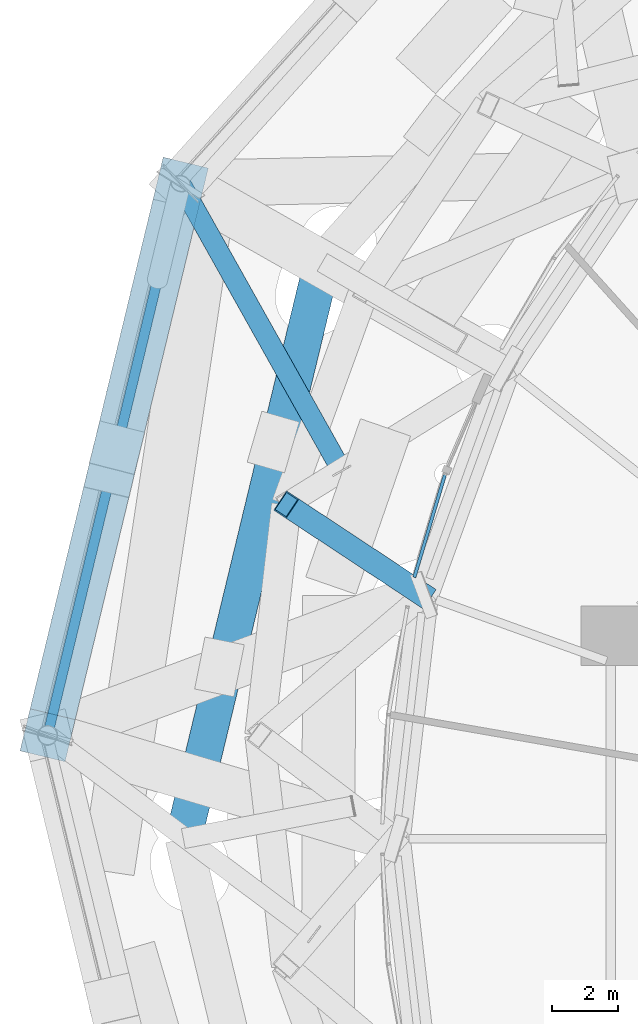
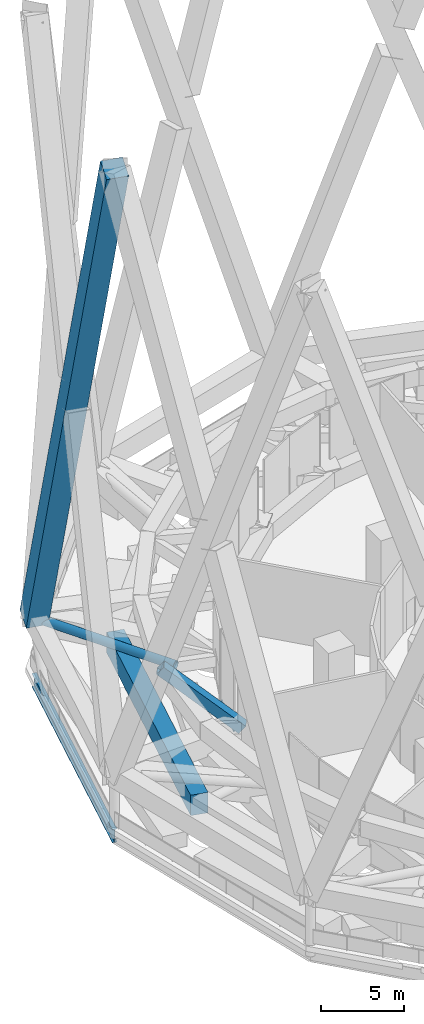
# One storey, part 29 of 60: 4 members, 2 beams, 1 element without a shape of its own.
"""IFC4 building model written with IfcOpenShell, lengths in metres."""

from ifc_helpers import new_model, si_unit, direction, frame, origin, origin_2d, place, context, subcontext, project, spatial, rectangle, hollow_rectangle, hollow_circle, i_section, extrude, material, layer, layer_set, material_profile, profile_set, type_object, element, aggregate, save


model = new_model("IFC4")

# Units and contexts
model_context = context("Model", 3, precision=1e-05, world=origin(), true_north=direction((0.0, 1.0)))
body_context = subcontext(model_context, "Body", "Model", "MODEL_VIEW")
ifc_project = project(units=[si_unit("LENGTHUNIT", "METRE"), si_unit("AREAUNIT", "SQUARE_METRE"), si_unit("VOLUMEUNIT", "CUBIC_METRE"), si_unit("PLANEANGLEUNIT", "RADIAN"), si_unit("MASSUNIT", "GRAM", prefix="KILO")], contexts=[model_context])

# Site, building, storey
site_placement = place(None, origin())
site = spatial("IfcSite", under=ifc_project, at=site_placement, CompositionType="ELEMENT")
building_placement = place(site_placement, origin())
building = spatial("IfcBuilding", under=site, at=building_placement, Name="Nagisa Residences", CompositionType="ELEMENT")
storey_placement = place(building_placement, frame((0.0, 0.0, 206.60009765625)))
storey = spatial("IfcBuildingStorey", under=building, at=storey_placement, Name="L52", CompositionType="ELEMENT", Elevation=206.60009765625)

# Beam
ifc_material_1 = material(Name="Steel ASTM A572 Gr 50", Category="steel")
ifc_material_profile_1 = material_profile(ifc_material_1, hollow_rectangle(XDim=0.699951171875, YDim=0.699951171875, WallThickness=0.0400390625, at=origin_2d()), Name="BX 700x700x40")
ifc_profile_set_1 = profile_set([ifc_material_profile_1], Name="Steel ASTM A572 Gr 50")
beam_type_1 = type_object("IfcBeamType", Name="Belt diagonal 4 BX 700x700x40", PredefinedType="BEAM", material=ifc_profile_set_1)
beam_1_placement = place(storey_placement, frame((-20.427490234375, 7.343994140625, 0.599853515625), z_axis=(-0.64065748128, 0.42304931645, 0.640770838546), x_axis=(-0.551037609069, -0.834480409232, 0.0)))
element("IfcBeam", 1, at=beam_1_placement, inside=storey, type_object=beam_type_1, Name="beam:L52:bt4da12", PredefinedType="BEAM", context=body_context, shape_type="SweptSolid", body=[
    extrude(hollow_rectangle(XDim=0.699951171875, YDim=0.699951171875, WallThickness=0.0400390625, at=origin_2d()), origin(), (0.0, 0.0, 1.0), 6.461181640625),
])

# Curtain wall, member
ifc_material_2 = material(Name="Aluminium curtain wall system", Category="aluminium")
ifc_layer = layer(ifc_material_2, 0.159912109375)
ifc_layer_set = layer_set([ifc_layer], Name="CW5 CURTAIN WALL")
curtain_wall_type = type_object("IfcCurtainWallType", Name="CW5 CURTAIN WALL", PredefinedType="NOTDEFINED", material=ifc_layer_set)
curtain_wall_placement = place(storey_placement, origin())
curtain_wall = element("IfcCurtainWall", 2, at=curtain_wall_placement, inside=storey, type_object=curtain_wall_type, Name="cw:CW5:L52:21", PredefinedType="NOTDEFINED")
ifc_material_3 = material(Name="Aluminium", Category="aluminium")
ifc_material_profile_2 = material_profile(ifc_material_3, rectangle(XDim=0.10009765625, YDim=0.1201171875, at=origin_2d()), Name="CW5 TRANSOM 100x120")
ifc_profile_set_2 = profile_set([ifc_material_profile_2], Name="Aluminium")
member_type_1 = type_object("IfcMemberType", Name="CW5 TRANSOM 100x120", PredefinedType="USERDEFINED", material=ifc_profile_set_2)
member_1_placement = place(storey_placement, frame((-19.766845703125, 11.027099609375, 0.059814453125), z_axis=(-0.285853055917, -0.958273463278, 0.0), x_axis=(0.958273463278, -0.285853055917, 0.0)))
member_1 = element("IfcMember", 3, at=member_1_placement, type_object=member_type_1, Name="CW5 transom", ObjectType="TRANSOM", PredefinedType="USERDEFINED", context=body_context, shape_type="SweptSolid", body=[
    extrude(rectangle(XDim=0.10009765625, YDim=0.1201171875, at=origin_2d()), origin(), (0.0, 0.0, 1.0), 3.2822265625),
])
aggregate(curtain_wall, [member_1])

# Members
ifc_material_4 = material(Name="Concrete C80", Category="concrete")
ifc_material_profile_3 = material_profile(ifc_material_4, rectangle(XDim=1.39990234375, YDim=1.39990234375, at=origin_2d()), Name="C80 1400x1400")
ifc_profile_set_3 = profile_set([ifc_material_profile_3], Name="Concrete C80")
member_type_2 = type_object("IfcMemberType", Name="Cage diagonal 5 C80 1400x1400", PredefinedType="BRACE", material=ifc_profile_set_3)
member_2_placement = place(storey_placement, frame((-27.7548828125, 19.7626953125, 3.699951171875), z_axis=(-0.084209237685, -0.349095063048, 0.933296009444), x_axis=(0.972117187205, -0.234495574244, 0.0)))
element("IfcMember", 4, at=member_2_placement, inside=storey, type_object=member_type_2, Name="mem:L52:cg5d011", PredefinedType="BRACE", context=body_context, shape_type="SweptSolid", body=[
    extrude(rectangle(XDim=1.39990234375, YDim=1.39990234375, at=origin_2d()), origin(), (0.0, 0.0, 1.0), 47.680419921875),
])
ifc_material_5 = material(Name="Concrete C80", Category="concrete")
ifc_material_profile_4 = material_profile(ifc_material_5, rectangle(XDim=1.10009765625, YDim=1.5, at=origin_2d()), Name="C80 1100x1500")
ifc_profile_set_4 = profile_set([ifc_material_profile_4], Name="Concrete C80")
member_type_3 = type_object("IfcMemberType", Name="Cage ring 4 C80 1100x1500", PredefinedType="CHORD", material=ifc_profile_set_4)
member_3_placement = place(storey_placement, frame((-23.48486328125, 17.387451171875, 1.89990234375), z_axis=(-0.234282017456, -0.972168676875, 0.0), x_axis=(0.972168676875, -0.234282017456, 0.0)))
element("IfcMember", 5, at=member_3_placement, inside=storey, type_object=member_type_3, Name="beam:L52:cg4r106", PredefinedType="CHORD", context=body_context, shape_type="SweptSolid", body=[
    extrude(rectangle(XDim=1.10009765625, YDim=1.5, at=origin_2d()), origin(), (0.0, 0.0, 1.0), 17.88525390625),
])
ifc_material_6 = material(Name="Steel ASTM A572 Gr 65", Category="steel")
ifc_material_profile_5 = material_profile(ifc_material_6, hollow_circle(Radius=0.304931640625, WallThickness=0.02490234375, at=origin_2d()), Name="CHS 610x25")
ifc_profile_set_5 = profile_set([ifc_material_profile_5], Name="Steel ASTM A572 Gr 65")
member_type_4 = type_object("IfcMemberType", Name="Cage strut CHS 610x25", PredefinedType="STRUT", material=ifc_profile_set_5)
member_4_placement = place(storey_placement, frame((-27.7548828125, 19.7626953125, 3.699951171875), z_axis=(0.489099387034, -0.872228060545, 0.0), x_axis=(0.872228060545, 0.489099387034, 0.0)))
element("IfcMember", 6, at=member_4_placement, inside=storey, type_object=member_type_4, Name="mem:L52:bt4st5b06", PredefinedType="STRUT", context=body_context, shape_type="SweptSolid", body=[
    extrude(hollow_circle(Radius=0.304931640625, WallThickness=0.02490234375, at=origin_2d()), origin(), (0.0, 0.0, 1.0), 9.92041015625),
])

# Beam
ifc_material_7 = material(Name="Steel ASTM A572 Gr 50", Category="steel")
ifc_material_profile_6 = material_profile(ifc_material_7, i_section(OverallWidth=0.300048828125, OverallDepth=0.97998046875, WebThickness=0.0166015625, FlangeThickness=0.02587890625, at=origin_2d()), Name="W1000x249")
ifc_profile_set_6 = profile_set([ifc_material_profile_6], Name="Steel ASTM A572 Gr 50")
beam_type_2 = type_object("IfcBeamType", Name="Deck edge beam W1000x249", PredefinedType="BEAM", material=ifc_profile_set_6)
beam_2_placement = place(storey_placement, frame((-27.7548828125, 19.7626953125, -0.89013671875), z_axis=(-0.234495574244, -0.972117187205, 0.0), x_axis=(0.972117187205, -0.234495574244, 0.0)))
element("IfcBeam", 7, at=beam_2_placement, inside=storey, type_object=beam_type_2, Name="beam:L52:deckedge06", PredefinedType="BEAM", context=body_context, shape_type="SweptSolid", body=[
    extrude(i_section(OverallWidth=0.300048828125, OverallDepth=0.97998046875, WebThickness=0.0166015625, FlangeThickness=0.02587890625, at=origin_2d()), origin(), (0.0, 0.0, 1.0), 17.12255859375),
])

save(model, "model.ifc")
